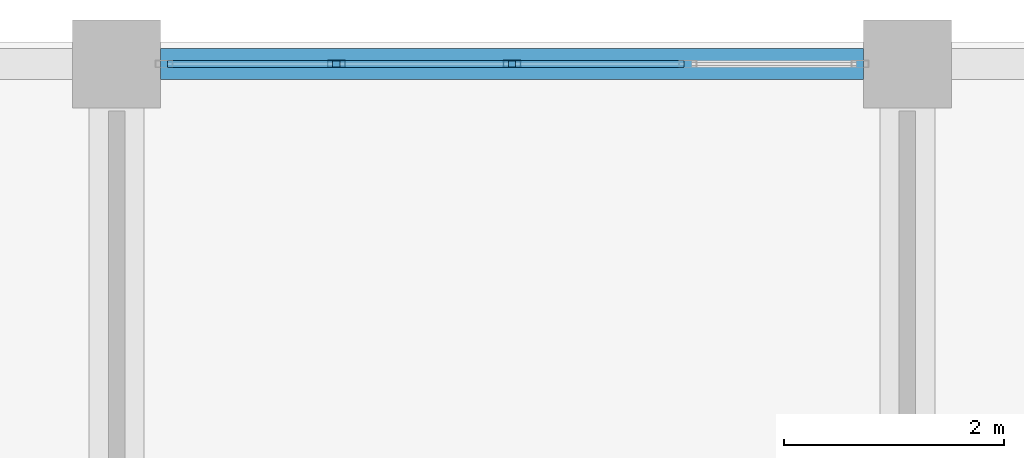
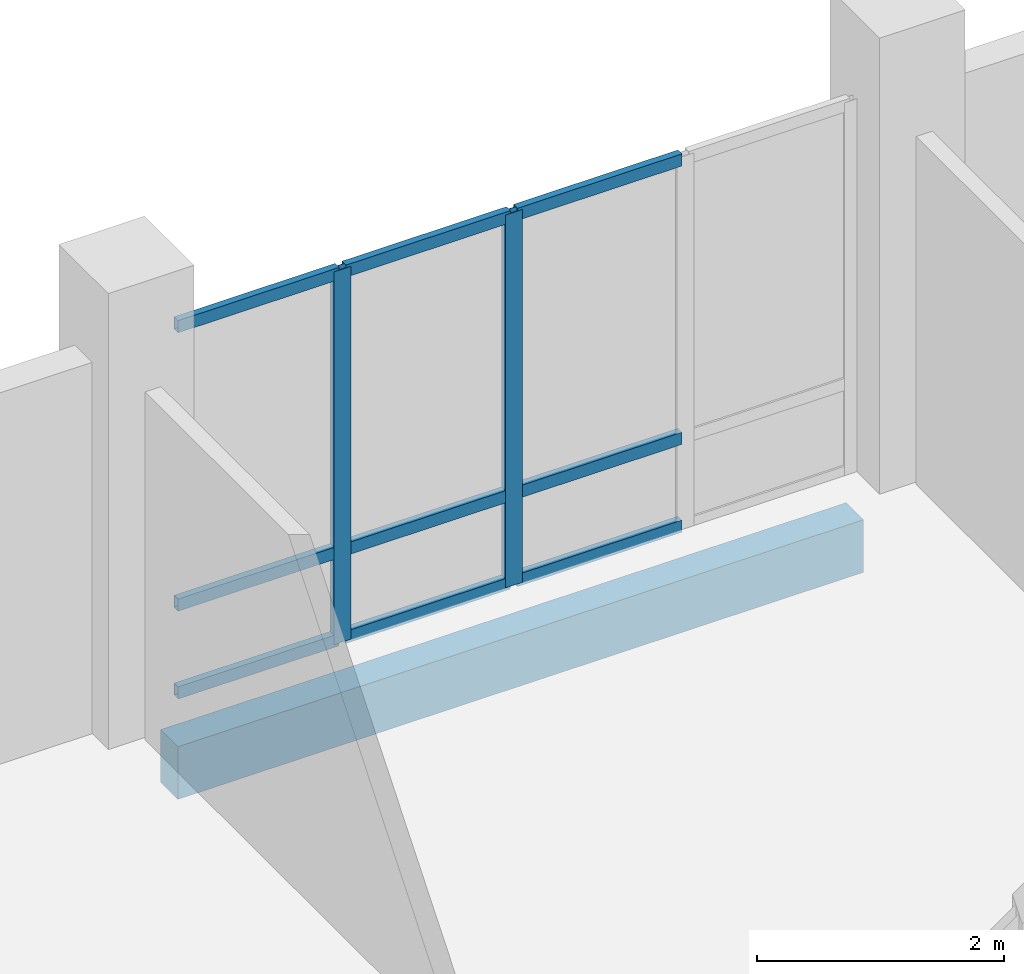
# One storey, part 57 of 139: 11 members, 1 beam, 1 element without a shape of its own.
"""IFC4 building model written with IfcOpenShell, lengths in metres."""

from ifc_helpers import new_model, si_unit, direction, frame, origin, origin_2d, place, context, subcontext, project, spatial, rectangle, hollow_rectangle, extrude, material, material_profile, profile_set, type_object, element, aggregate, save


model = new_model("IFC4")

# Units and contexts
model_context = context("Model", 3, precision=1e-05, world=origin(), true_north=direction((0.0, 1.0)))
body_context = subcontext(model_context, "Body", "Model", "MODEL_VIEW")
ifc_project = project(units=[si_unit("LENGTHUNIT", "METRE"), si_unit("AREAUNIT", "SQUARE_METRE"), si_unit("VOLUMEUNIT", "CUBIC_METRE"), si_unit("PLANEANGLEUNIT", "RADIAN"), si_unit("MASSUNIT", "GRAM", prefix="KILO")], contexts=[model_context])

# Site, building, storey
site_placement = place(None, origin())
site = spatial("IfcSite", under=ifc_project, at=site_placement, CompositionType="ELEMENT")
building_placement = place(site_placement, origin())
building = spatial("IfcBuilding", under=site, at=building_placement, Name="Suanplinth Sawtooth Commons", CompositionType="ELEMENT")
storey_placement = place(building_placement, origin())
storey = spatial("IfcBuildingStorey", under=building, at=storey_placement, Name="L00", CompositionType="ELEMENT", Elevation=0.0)

# Beam
ifc_material_1 = material(Name="Precast concrete C40/50", Category="concrete")
ifc_material_profile_1 = material_profile(ifc_material_1, rectangle(XDim=0.280029296875, YDim=0.52001953125, at=origin_2d()), Name="PC-SP 280x520")
ifc_profile_set_1 = profile_set([ifc_material_profile_1], Name="Precast concrete C40/50")
beam_type = type_object("IfcBeamType", Name="B-08", PredefinedType="SPANDREL", material=ifc_profile_set_1)
beam_placement = place(storey_placement, frame((58.0, 122.39990234375, -0.669921875), z_axis=(1.0, 0.0, 0.0), x_axis=(0.0, 1.0, 0.0)))
element("IfcBeam", 1, at=beam_placement, inside=storey, type_object=beam_type, Name="BMX-L00-A-8-17", PredefinedType="SPANDREL", context=body_context, shape_type="SweptSolid", body=[
    extrude(rectangle(XDim=0.280029296875, YDim=0.52001953125, at=origin_2d()), origin(), (0.0, 0.0, 1.0), 6.39990234375),
])

# Curtain wall, members
ifc_material_2 = material(Name="Anodized aluminium and low-E glazing", Category="aluminium")
curtain_wall_type = type_object("IfcCurtainWallType", Name="CW-04", PredefinedType="USERDEFINED", material=ifc_material_2)
curtain_wall_placement = place(storey_placement, origin())
curtain_wall = element("IfcCurtainWall", 2, at=curtain_wall_placement, inside=storey, type_object=curtain_wall_type, Name="Curtain Wall CW-L00-A-N-8", ObjectType="CURTAIN WALL", PredefinedType="USERDEFINED")
ifc_material_3 = material(Name="Anodized aluminium 6063-T6", Category="aluminium")
ifc_material_profile_2 = material_profile(ifc_material_3, hollow_rectangle(XDim=0.06494140625, YDim=0.159912109375, WallThickness=0.00390625, at=origin_2d()), Name="ALU-MUL 65x160")
ifc_profile_set_2 = profile_set([ifc_material_profile_2], Name="Anodized aluminium 6063-T6")
member_type_1 = type_object("IfcMemberType", Name="M-13", PredefinedType="MULLION", material=ifc_profile_set_2)
member_1_placement = place(storey_placement, frame((59.60009765625, 122.39990234375, 0.0), z_axis=(0.0, 0.0, 1.0), x_axis=(0.0, 1.0, 0.0)))
member_1 = element("IfcMember", 3, at=member_1_placement, type_object=member_type_1, Name="CW-04 mullion 2", PredefinedType="MULLION", context=body_context, shape_type="SweptSolid", body=[
    extrude(hollow_rectangle(XDim=0.06494140625, YDim=0.159912109375, WallThickness=0.00390625, at=origin_2d()), origin(), (0.0, 0.0, 1.0), 3.679931640625),
])
member_2_placement = place(storey_placement, frame((61.199951171875, 122.39990234375, 0.0), z_axis=(0.0, 0.0, 1.0), x_axis=(0.0, 1.0, 0.0)))
member_2 = element("IfcMember", 4, at=member_2_placement, type_object=member_type_1, Name="CW-04 mullion 3", PredefinedType="MULLION", context=body_context, shape_type="SweptSolid", body=[
    extrude(hollow_rectangle(XDim=0.06494140625, YDim=0.159912109375, WallThickness=0.00390625, at=origin_2d()), origin(), (0.0, 0.0, 1.0), 3.679931640625),
])
ifc_material_profile_3 = material_profile(ifc_material_3, hollow_rectangle(XDim=0.06494140625, YDim=0.1201171875, WallThickness=0.00390625, at=origin_2d()), Name="ALU-TRN 65x120")
ifc_profile_set_3 = profile_set([ifc_material_profile_3], Name="Anodized aluminium 6063-T6")
member_type_2 = type_object("IfcMemberType", Name="M-15", PredefinedType="USERDEFINED", material=ifc_profile_set_3)
member_3_placement = place(storey_placement, frame((58.06494140625, 122.39990234375, 0.032470703125), z_axis=(1.0, 0.0, 0.0), x_axis=(0.0, 1.0, 0.0)))
member_3 = element("IfcMember", 5, at=member_3_placement, type_object=member_type_2, Name="CW-04 transom 1.1", ObjectType="TRANSOM", PredefinedType="USERDEFINED", context=body_context, shape_type="SweptSolid", body=[
    extrude(hollow_rectangle(XDim=0.06494140625, YDim=0.1201171875, WallThickness=0.00390625, at=origin_2d()), origin(), (0.0, 0.0, 1.0), 1.50244140625),
])
member_4_placement = place(storey_placement, frame((58.06494140625, 122.39990234375, 0.89990234375), z_axis=(1.0, 0.0, 0.0), x_axis=(0.0, 1.0, 0.0)))
member_4 = element("IfcMember", 6, at=member_4_placement, type_object=member_type_2, Name="CW-04 transom 1.2", ObjectType="TRANSOM", PredefinedType="USERDEFINED", context=body_context, shape_type="SweptSolid", body=[
    extrude(hollow_rectangle(XDim=0.06494140625, YDim=0.1201171875, WallThickness=0.00390625, at=origin_2d()), origin(), (0.0, 0.0, 1.0), 1.50244140625),
])
member_5_placement = place(storey_placement, frame((58.06494140625, 122.39990234375, 3.6474609375), z_axis=(1.0, 0.0, 0.0), x_axis=(0.0, 1.0, 0.0)))
member_5 = element("IfcMember", 7, at=member_5_placement, type_object=member_type_2, Name="CW-04 transom 1.3", ObjectType="TRANSOM", PredefinedType="USERDEFINED", context=body_context, shape_type="SweptSolid", body=[
    extrude(hollow_rectangle(XDim=0.06494140625, YDim=0.1201171875, WallThickness=0.00390625, at=origin_2d()), origin(), (0.0, 0.0, 1.0), 1.50244140625),
])
member_6_placement = place(storey_placement, frame((59.632568359375, 122.39990234375, 0.032470703125), z_axis=(1.0, 0.0, 0.0), x_axis=(0.0, 1.0, 0.0)))
member_6 = element("IfcMember", 8, at=member_6_placement, type_object=member_type_2, Name="CW-04 transom 2.1", ObjectType="TRANSOM", PredefinedType="USERDEFINED", context=body_context, shape_type="SweptSolid", body=[
    extrude(hollow_rectangle(XDim=0.06494140625, YDim=0.1201171875, WallThickness=0.00390625, at=origin_2d()), origin(), (0.0, 0.0, 1.0), 1.534912109375),
])
member_7_placement = place(storey_placement, frame((59.632568359375, 122.39990234375, 0.89990234375), z_axis=(1.0, 0.0, 0.0), x_axis=(0.0, 1.0, 0.0)))
member_7 = element("IfcMember", 9, at=member_7_placement, type_object=member_type_2, Name="CW-04 transom 2.2", ObjectType="TRANSOM", PredefinedType="USERDEFINED", context=body_context, shape_type="SweptSolid", body=[
    extrude(hollow_rectangle(XDim=0.06494140625, YDim=0.1201171875, WallThickness=0.00390625, at=origin_2d()), origin(), (0.0, 0.0, 1.0), 1.534912109375),
])
member_8_placement = place(storey_placement, frame((59.632568359375, 122.39990234375, 3.6474609375), z_axis=(1.0, 0.0, 0.0), x_axis=(0.0, 1.0, 0.0)))
member_8 = element("IfcMember", 10, at=member_8_placement, type_object=member_type_2, Name="CW-04 transom 2.3", ObjectType="TRANSOM", PredefinedType="USERDEFINED", context=body_context, shape_type="SweptSolid", body=[
    extrude(hollow_rectangle(XDim=0.06494140625, YDim=0.1201171875, WallThickness=0.00390625, at=origin_2d()), origin(), (0.0, 0.0, 1.0), 1.534912109375),
])
member_9_placement = place(storey_placement, frame((61.232421875, 122.39990234375, 0.032470703125), z_axis=(1.0, 0.0, 0.0), x_axis=(0.0, 1.0, 0.0)))
member_9 = element("IfcMember", 11, at=member_9_placement, type_object=member_type_2, Name="CW-04 transom 3.1", ObjectType="TRANSOM", PredefinedType="USERDEFINED", context=body_context, shape_type="SweptSolid", body=[
    extrude(hollow_rectangle(XDim=0.06494140625, YDim=0.1201171875, WallThickness=0.00390625, at=origin_2d()), origin(), (0.0, 0.0, 1.0), 1.53515625),
])
member_10_placement = place(storey_placement, frame((61.232421875, 122.39990234375, 0.89990234375), z_axis=(1.0, 0.0, 0.0), x_axis=(0.0, 1.0, 0.0)))
member_10 = element("IfcMember", 12, at=member_10_placement, type_object=member_type_2, Name="CW-04 transom 3.2", ObjectType="TRANSOM", PredefinedType="USERDEFINED", context=body_context, shape_type="SweptSolid", body=[
    extrude(hollow_rectangle(XDim=0.06494140625, YDim=0.1201171875, WallThickness=0.00390625, at=origin_2d()), origin(), (0.0, 0.0, 1.0), 1.53515625),
])
member_11_placement = place(storey_placement, frame((61.232421875, 122.39990234375, 3.6474609375), z_axis=(1.0, 0.0, 0.0), x_axis=(0.0, 1.0, 0.0)))
member_11 = element("IfcMember", 13, at=member_11_placement, type_object=member_type_2, Name="CW-04 transom 3.3", ObjectType="TRANSOM", PredefinedType="USERDEFINED", context=body_context, shape_type="SweptSolid", body=[
    extrude(hollow_rectangle(XDim=0.06494140625, YDim=0.1201171875, WallThickness=0.00390625, at=origin_2d()), origin(), (0.0, 0.0, 1.0), 1.53515625),
])
aggregate(curtain_wall, [member_1, member_2, member_3, member_4, member_5, member_6, member_7, member_8, member_9, member_10, member_11])

save(model, "model.ifc")
